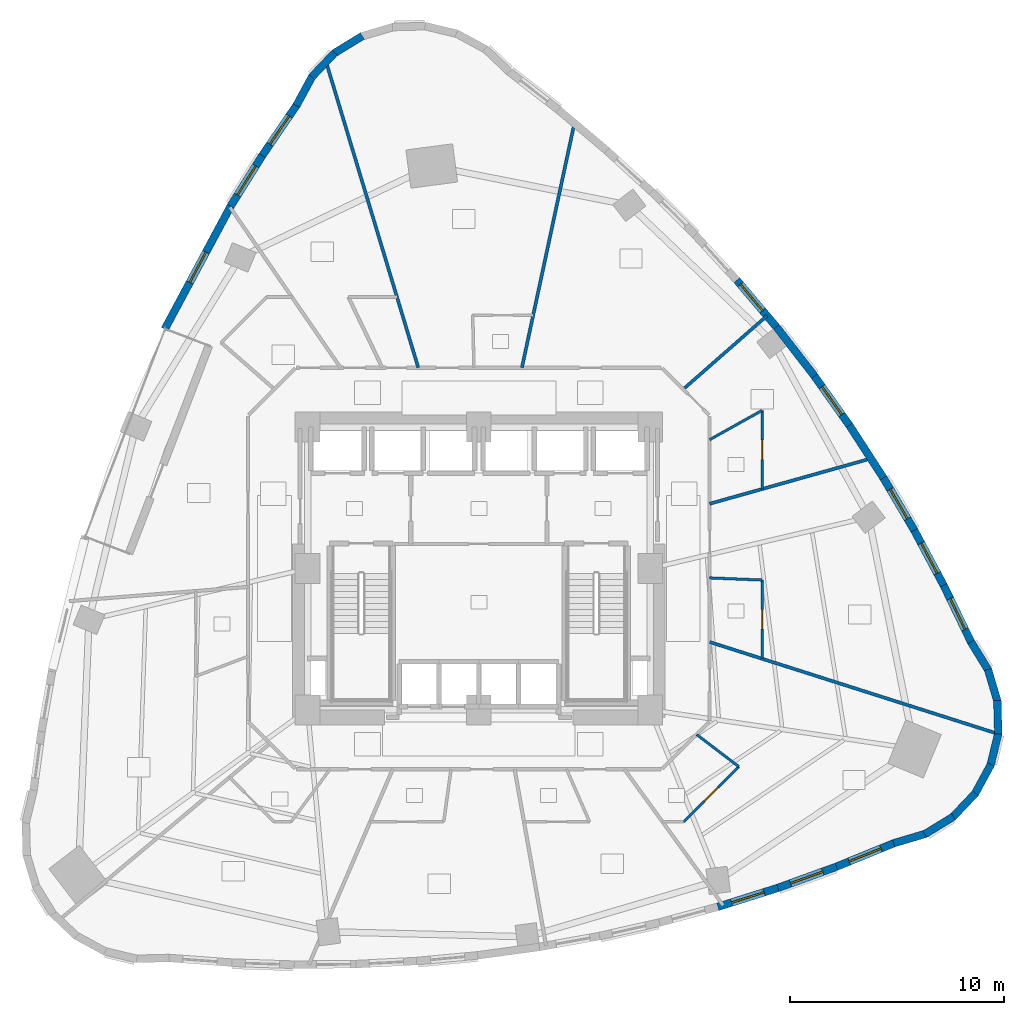
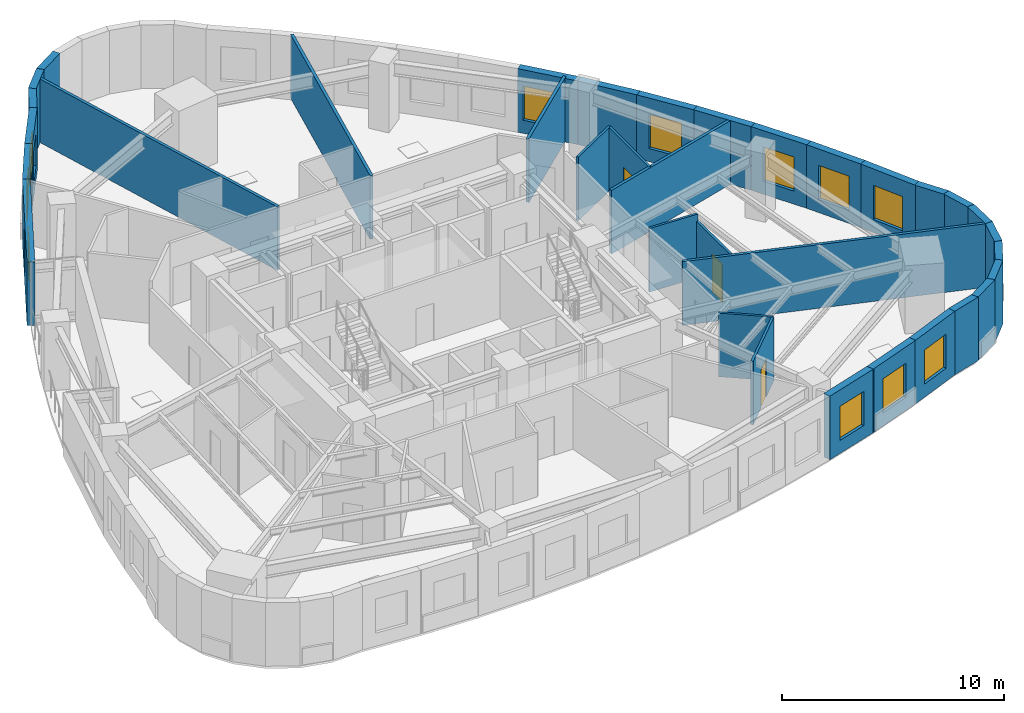
# One storey, part 8 of 12: 35 walls, 11 windows, 3 doors, 14 openings.
"""IFC4 building model written with IfcOpenShell, lengths in metres."""

from ifc_helpers import new_model, si_unit, direction, frame, frame_2d, origin, place, context, subcontext, project, spatial, rectangle, extrude, material, layer, layer_set, type_object, element, fill, save


model = new_model("IFC4")

# Units and contexts
model_context = context("Model", 3, precision=1e-05, world=origin(), true_north=direction((0.0, 1.0)))
body_context = subcontext(model_context, "Body", "Model", "MODEL_VIEW")
ifc_project = project(units=[si_unit("LENGTHUNIT", "METRE"), si_unit("AREAUNIT", "SQUARE_METRE"), si_unit("VOLUMEUNIT", "CUBIC_METRE"), si_unit("PLANEANGLEUNIT", "RADIAN"), si_unit("MASSUNIT", "GRAM", prefix="KILO")], contexts=[model_context])

# Site, building, storey
site_placement = place(None, origin())
site = spatial("IfcSite", under=ifc_project, at=site_placement, CompositionType="ELEMENT")
building_placement = place(site_placement, origin())
building = spatial("IfcBuilding", under=site, at=building_placement, Name="Ndelora Gate Hotel", CompositionType="ELEMENT")
storey_placement = place(building_placement, frame((0.0, 0.0, 64.25)))
storey = spatial("IfcBuildingStorey", under=building, at=storey_placement, Name="L15", CompositionType="ELEMENT", Elevation=64.25)

# Walls
ifc_material_1 = material(Name="Clay Brick Masonry", Category="masonry")
ifc_layer_1 = layer(ifc_material_1, 0.360107421875)
ifc_layer_set_1 = layer_set([ifc_layer_1], Name="Clay Brick Masonry")
wall_type_1 = type_object("IfcWallType", Name="WL-BRICK-360", PredefinedType="SOLIDWALL", material=ifc_layer_set_1)
wall_1_placement = place(storey_placement, frame((-6.77001953125, 24.058349609375, 0.0), z_axis=(0.0, 0.0, 1.0), x_axis=(0.852621439608, 0.522529119496, 0.0)))
element("IfcWall", 1, at=wall_1_placement, inside=storey, type_object=wall_type_1, Name="L15 Tower Brick Pier-and-Spandrel Wall TWR-6", PredefinedType="SOLIDWALL", context=body_context, shape_type="SweptSolid", body=[
    extrude(rectangle(XDim=1.564208984375, YDim=0.360107421875, at=frame_2d((0.7822265625, 0.0))), origin(), (0.0, 0.0, 1.0), 3.5),
])
for number, where, z_axis, x_axis, name in (
    (2, (-7.80810546875, 22.955078125, 0.0), (0.0, 0.0, 1.0), (0.688367852729, 0.725361771345, 0.0), "L15 Tower Brick Pier-and-Spandrel Wall TWR-7"),
    (3, (-8.525390625, 21.62060546875, 0.0), (0.0, 0.0, 1.0), (0.477177977799, 0.878806678118, 0.0), "L15 Tower Brick Pier-and-Spandrel Wall TWR-8"),
):
    element("IfcWall", number, at=place(storey_placement, frame(where, z_axis=z_axis, x_axis=x_axis)), inside=storey, type_object=wall_type_1, Name=name, PredefinedType="SOLIDWALL", context=body_context, shape_type="SweptSolid", body=[
        extrude(rectangle(XDim=1.56396484375, YDim=0.360107421875, at=frame_2d((0.781982421875, 0.0))), origin(), (0.0, 0.0, 1.0), 3.5),
    ])

# Wall, opening, window
wall_2_placement = place(storey_placement, frame((-10.11572265625, 19.29150390625, 0.0), z_axis=(0.0, 0.0, 1.0), x_axis=(0.563210121539, 0.826313717057, 0.0)))
wall_2 = element("IfcWall", 4, at=wall_2_placement, inside=storey, type_object=wall_type_1, Name="L15 Tower Brick Pier-and-Spandrel Wall TWR-9", PredefinedType="SOLIDWALL", context=body_context, shape_type="SweptSolid", body=[
    extrude(rectangle(XDim=2.8701171875, YDim=0.360107421875, at=frame_2d((1.43505859375, 0.0))), origin(), (0.0, 0.0, 1.0), 3.5),
])
opening_1_placement = place(wall_2_placement, frame((0.635009765625, 0.0, 0.719970703125)))
opening_1 = element("IfcOpeningElement", 5, at=opening_1_placement, cuts=wall_2, Name="Opening W03", PredefinedType="OPENING", context=body_context, shape_type="SweptSolid", body=[
    extrude(rectangle(XDim=1.60009765625, YDim=1.8798828125, at=frame_2d((0.800048828125, 0.93994140625))), frame((0.0, 0.18994140625, 0.0), z_axis=(0.0, -1.0, 0.0), x_axis=(1.0, 0.0, 0.0)), (0.0, 0.0, 1.0), 0.380126953125),
])
ifc_material_2 = material(Name="Insulated Low-E Double Glazing in Bronze Aluminium Frame", Category="aluminium")
window_type_1 = type_object("IfcWindowType", Name="WN-CORN-2100", PartitioningType="SINGLE_PANEL", PredefinedType="WINDOW", material=ifc_material_2)
window_1_placement = place(opening_1_placement, origin())
window_1 = element("IfcWindow", 6, at=window_1_placement, inside=storey, type_object=window_type_1, Name="L15 Deep-Set Brick-Pier Window W03", OverallHeight=1.8798828125, OverallWidth=1.60009765625, PartitioningType="SINGLE_PANEL", PredefinedType="WINDOW", context=body_context, shape_type="SweptSolid", body=[
    extrude(rectangle(XDim=1.60009765625, YDim=1.8798828125, at=frame_2d((0.800048828125, 0.93994140625))), frame((0.0, 0.030029296875, 0.0), z_axis=(0.0, -1.0, 0.0), x_axis=(1.0, 0.0, 0.0)), (0.0, 0.0, 1.0), 0.06005859375),
])
fill(opening_1, window_1)

wall_3_placement = place(storey_placement, frame((-11.59814453125, 16.92041015625, 0.0), z_axis=(0.0, 0.0, 1.0), x_axis=(0.530399781812, 0.847747646092, 0.0)))
wall_3 = element("IfcWall", 7, at=wall_3_placement, inside=storey, type_object=wall_type_1, Name="L15 Tower Brick Pier-and-Spandrel Wall TWR-10", PredefinedType="SOLIDWALL", context=body_context, shape_type="SweptSolid", body=[
    extrude(rectangle(XDim=2.846435546875, YDim=0.360107421875, at=frame_2d((1.42333984375, 0.0))), origin(), (0.0, 0.0, 1.0), 3.5),
])
opening_2_placement = place(wall_3_placement, frame((0.623291015625, 0.0, 0.719970703125)))
opening_2 = element("IfcOpeningElement", 8, at=opening_2_placement, cuts=wall_3, Name="Opening W01", PredefinedType="OPENING", context=body_context, shape_type="SweptSolid", body=[
    extrude(rectangle(XDim=1.60009765625, YDim=1.8798828125, at=frame_2d((0.800048828125, 0.93994140625))), frame((0.0, 0.18994140625, 0.0), z_axis=(0.0, -1.0, 0.0), x_axis=(1.0, 0.0, 0.0)), (0.0, 0.0, 1.0), 0.380126953125),
])
window_type_2 = type_object("IfcWindowType", Name="WN-DEEP-1600", PartitioningType="SINGLE_PANEL", PredefinedType="WINDOW", material=ifc_material_2)
window_2_placement = place(opening_2_placement, origin())
window_2 = element("IfcWindow", 9, at=window_2_placement, inside=storey, type_object=window_type_2, Name="L15 Deep-Set Brick-Pier Window W01", OverallHeight=1.8798828125, OverallWidth=1.60009765625, PartitioningType="SINGLE_PANEL", PredefinedType="WINDOW", context=body_context, shape_type="SweptSolid", body=[
    extrude(rectangle(XDim=1.60009765625, YDim=1.8798828125, at=frame_2d((0.800048828125, 0.93994140625))), frame((0.0, 0.030029296875, 0.0), z_axis=(0.0, -1.0, 0.0), x_axis=(1.0, 0.0, 0.0)), (0.0, 0.0, 1.0), 0.06005859375),
])
fill(opening_2, window_2)

wall_4_placement = place(storey_placement, frame((-14.67431640625, 11.176513671875, 0.0), z_axis=(0.0, 0.0, 1.0), x_axis=(0.4723493591, 0.881411415264, 0.0)))
wall_4 = element("IfcWall", 10, at=wall_4_placement, inside=storey, type_object=wall_type_1, Name="L15 Tower Brick Pier-and-Spandrel Wall TWR-11", PredefinedType="SOLIDWALL", context=body_context, shape_type="SweptSolid", body=[
    extrude(rectangle(XDim=6.565673828125, YDim=0.360107421875, at=frame_2d((3.28271484375, 0.0))), origin(), (0.0, 0.0, 1.0), 3.5),
])
opening_3_placement = place(wall_4_placement, frame((2.48291015625, 0.0, 0.719970703125)))
opening_3 = element("IfcOpeningElement", 11, at=opening_3_placement, cuts=wall_4, Name="Opening W01", PredefinedType="OPENING", context=body_context, shape_type="SweptSolid", body=[
    extrude(rectangle(XDim=1.60009765625, YDim=1.8798828125, at=frame_2d((0.800048828125, 0.93994140625))), frame((0.0, 0.18994140625, 0.0), z_axis=(0.0, -1.0, 0.0), x_axis=(1.0, 0.0, 0.0)), (0.0, 0.0, 1.0), 0.380126953125),
])
window_3_placement = place(opening_3_placement, origin())
window_3 = element("IfcWindow", 12, at=window_3_placement, inside=storey, type_object=window_type_2, Name="L15 Deep-Set Brick-Pier Window W01", OverallHeight=1.8798828125, OverallWidth=1.60009765625, PartitioningType="SINGLE_PANEL", PredefinedType="WINDOW", context=body_context, shape_type="SweptSolid", body=[
    extrude(rectangle(XDim=1.60009765625, YDim=1.8798828125, at=frame_2d((0.800048828125, 0.93994140625))), frame((0.0, 0.030029296875, 0.0), z_axis=(0.0, -1.0, 0.0), x_axis=(1.0, 0.0, 0.0)), (0.0, 0.0, 1.0), 0.06005859375),
])
fill(opening_3, window_3)

wall_5_placement = place(storey_placement, frame((13.966796875, -14.92138671875, 0.0), z_axis=(0.0, 0.0, 1.0), x_axis=(-0.953689260009, -0.300793609212, 0.0)))
wall_5 = element("IfcWall", 13, at=wall_5_placement, inside=storey, type_object=wall_type_1, Name="L15 Tower Brick Pier-and-Spandrel Wall TWR-36", PredefinedType="SOLIDWALL", context=body_context, shape_type="SweptSolid", body=[
    extrude(rectangle(XDim=2.940673828125, YDim=0.360107421875, at=frame_2d((1.47021484375, 0.0))), origin(), (0.0, 0.0, 1.0), 3.5),
])
opening_4_placement = place(wall_5_placement, frame((0.67041015625, 0.0, 0.719970703125)))
opening_4 = element("IfcOpeningElement", 14, at=opening_4_placement, cuts=wall_5, Name="Opening W01", PredefinedType="OPENING", context=body_context, shape_type="SweptSolid", body=[
    extrude(rectangle(XDim=1.60009765625, YDim=1.8798828125, at=frame_2d((0.800048828125, 0.93994140625))), frame((0.0, 0.18994140625, 0.0), z_axis=(0.0, -1.0, 0.0), x_axis=(1.0, 0.0, 0.0)), (0.0, 0.0, 1.0), 0.380126953125),
])
window_4_placement = place(opening_4_placement, origin())
window_4 = element("IfcWindow", 15, at=window_4_placement, inside=storey, type_object=window_type_2, Name="L15 Deep-Set Brick-Pier Window W01", OverallHeight=1.8798828125, OverallWidth=1.60009765625, PartitioningType="SINGLE_PANEL", PredefinedType="WINDOW", context=body_context, shape_type="SweptSolid", body=[
    extrude(rectangle(XDim=1.60009765625, YDim=1.8798828125, at=frame_2d((0.800048828125, 0.93994140625))), frame((0.0, 0.030029296875, 0.0), z_axis=(0.0, -1.0, 0.0), x_axis=(1.0, 0.0, 0.0)), (0.0, 0.0, 1.0), 0.06005859375),
])
fill(opening_4, window_4)

wall_6_placement = place(storey_placement, frame((16.704345703125, -13.9296875, 0.0), z_axis=(0.0, 0.0, 1.0), x_axis=(-0.940338629153, -0.340240007234, 0.0)))
wall_6 = element("IfcWall", 16, at=wall_6_placement, inside=storey, type_object=wall_type_1, Name="L15 Tower Brick Pier-and-Spandrel Wall TWR-37", PredefinedType="SOLIDWALL", context=body_context, shape_type="SweptSolid", body=[
    extrude(rectangle(XDim=2.96142578125, YDim=0.360107421875, at=frame_2d((1.480712890625, 0.0))), origin(), (0.0, 0.0, 1.0), 3.5),
])
opening_5_placement = place(wall_6_placement, frame((0.6806640625, 0.0, 0.719970703125)))
opening_5 = element("IfcOpeningElement", 17, at=opening_5_placement, cuts=wall_6, Name="Opening W03", PredefinedType="OPENING", context=body_context, shape_type="SweptSolid", body=[
    extrude(rectangle(XDim=1.60009765625, YDim=1.8798828125, at=frame_2d((0.800048828125, 0.93994140625))), frame((0.0, 0.18994140625, 0.0), z_axis=(0.0, -1.0, 0.0), x_axis=(1.0, 0.0, 0.0)), (0.0, 0.0, 1.0), 0.380126953125),
])
window_5_placement = place(opening_5_placement, origin())
window_5 = element("IfcWindow", 18, at=window_5_placement, inside=storey, type_object=window_type_1, Name="L15 Deep-Set Brick-Pier Window W03", OverallHeight=1.8798828125, OverallWidth=1.60009765625, PartitioningType="SINGLE_PANEL", PredefinedType="WINDOW", context=body_context, shape_type="SweptSolid", body=[
    extrude(rectangle(XDim=1.60009765625, YDim=1.8798828125, at=frame_2d((0.800048828125, 0.93994140625))), frame((0.0, 0.030029296875, 0.0), z_axis=(0.0, -1.0, 0.0), x_axis=(1.0, 0.0, 0.0)), (0.0, 0.0, 1.0), 0.06005859375),
])
fill(opening_5, window_5)

wall_7_placement = place(storey_placement, frame((19.422607421875, -12.817626953125, 0.0), z_axis=(0.0, 0.0, 1.0), x_axis=(-0.925660187863, -0.378355939039, 0.0)))
wall_7 = element("IfcWall", 19, at=wall_7_placement, inside=storey, type_object=wall_type_1, Name="L15 Tower Brick Pier-and-Spandrel Wall TWR-38", PredefinedType="SOLIDWALL", context=body_context, shape_type="SweptSolid", body=[
    extrude(rectangle(XDim=2.987060546875, YDim=0.360107421875, at=frame_2d((1.49365234375, 0.0))), origin(), (0.0, 0.0, 1.0), 3.5),
])
opening_6_placement = place(wall_7_placement, frame((0.693603515625, 0.0, 0.719970703125)))
opening_6 = element("IfcOpeningElement", 20, at=opening_6_placement, cuts=wall_7, Name="Opening W01", PredefinedType="OPENING", context=body_context, shape_type="SweptSolid", body=[
    extrude(rectangle(XDim=1.60009765625, YDim=1.8798828125, at=frame_2d((0.800048828125, 0.93994140625))), frame((0.0, 0.18994140625, 0.0), z_axis=(0.0, -1.0, 0.0), x_axis=(1.0, 0.0, 0.0)), (0.0, 0.0, 1.0), 0.380126953125),
])
window_6_placement = place(opening_6_placement, origin())
window_6 = element("IfcWindow", 21, at=window_6_placement, inside=storey, type_object=window_type_2, Name="L15 Deep-Set Brick-Pier Window W01", OverallHeight=1.8798828125, OverallWidth=1.60009765625, PartitioningType="SINGLE_PANEL", PredefinedType="WINDOW", context=body_context, shape_type="SweptSolid", body=[
    extrude(rectangle(XDim=1.60009765625, YDim=1.8798828125, at=frame_2d((0.800048828125, 0.93994140625))), frame((0.0, 0.030029296875, 0.0), z_axis=(0.0, -1.0, 0.0), x_axis=(1.0, 0.0, 0.0)), (0.0, 0.0, 1.0), 0.06005859375),
])
fill(opening_6, window_6)

# Walls
wall_8_placement = place(storey_placement, frame((20.875244140625, -12.389892578125, 0.0), z_axis=(0.0, 0.0, 1.0), x_axis=(-0.958804410816, -0.284067072714, 0.0)))
element("IfcWall", 22, at=wall_8_placement, inside=storey, type_object=wall_type_1, Name="L15 Tower Brick Pier-and-Spandrel Wall TWR-39", PredefinedType="SOLIDWALL", context=body_context, shape_type="SweptSolid", body=[
    extrude(rectangle(XDim=1.564208984375, YDim=0.360107421875, at=frame_2d((0.7822265625, 0.0))), origin(), (0.0, 0.0, 1.0), 3.5),
])
for number, where, z_axis, x_axis, name in (
    (23, (22.16357421875, -11.5927734375, 0.0), (0.0, 0.0, 1.0), (-0.852578817714, -0.522598660144, 0.0), "L15 Tower Brick Pier-and-Spandrel Wall TWR-40"),
    (24, (23.20166015625, -10.489501953125, 0.0), (0.0, 0.0, 1.0), (-0.688367852729, -0.725361771345, 0.0), "L15 Tower Brick Pier-and-Spandrel Wall TWR-41"),
):
    element("IfcWall", number, at=place(storey_placement, frame(where, z_axis=z_axis, x_axis=x_axis)), inside=storey, type_object=wall_type_1, Name=name, PredefinedType="SOLIDWALL", context=body_context, shape_type="SweptSolid", body=[
        extrude(rectangle(XDim=1.56396484375, YDim=0.360107421875, at=frame_2d((0.781982421875, 0.0))), origin(), (0.0, 0.0, 1.0), 3.5),
    ])
for number, where, z_axis, x_axis, name in (
    (25, (23.9189453125, -9.155029296875, 0.0), (0.0, 0.0, 1.0), (-0.477112528062, -0.878842213123, 0.0), "L15 Tower Brick Pier-and-Spandrel Wall TWR-42"),
    (26, (24.266357421875, -7.680419921875, 0.0), (0.0, 0.0, 1.0), (-0.233491011935, -0.97235896013, 0.0), "L15 Tower Brick Pier-and-Spandrel Wall TWR-43"),
):
    element("IfcWall", number, at=place(storey_placement, frame(where, z_axis=z_axis, x_axis=x_axis)), inside=storey, type_object=wall_type_1, Name=name, PredefinedType="SOLIDWALL", context=body_context, shape_type="SweptSolid", body=[
        extrude(rectangle(XDim=1.564208984375, YDim=0.360107421875, at=frame_2d((0.7822265625, 0.0))), origin(), (0.0, 0.0, 1.0), 3.5),
    ])
wall_9_placement = place(storey_placement, frame((24.22021484375, -6.166259765625, 0.0), z_axis=(0.0, 0.0, 1.0), x_axis=(0.026224581645, -0.999656076517, 0.0)))
element("IfcWall", 27, at=wall_9_placement, inside=storey, type_object=wall_type_1, Name="L15 Tower Brick Pier-and-Spandrel Wall TWR-44", PredefinedType="SOLIDWALL", context=body_context, shape_type="SweptSolid", body=[
    extrude(rectangle(XDim=1.56396484375, YDim=0.360107421875, at=frame_2d((0.781982421875, 0.0))), origin(), (0.0, 0.0, 1.0), 3.5),
])
for number, where, z_axis, x_axis, name in (
    (28, (23.78369140625, -4.71533203125, 0.0), (0.0, 0.0, 1.0), (0.283923577164, -0.958846912875, 0.0), "L15 Tower Brick Pier-and-Spandrel Wall TWR-45"),
    (29, (22.986572265625, -3.427001953125, 0.0), (0.0, 0.0, 1.0), (0.522529119496, -0.852621439608, 0.0), "L15 Tower Brick Pier-and-Spandrel Wall TWR-46"),
):
    element("IfcWall", number, at=place(storey_placement, frame(where, z_axis=z_axis, x_axis=x_axis)), inside=storey, type_object=wall_type_1, Name=name, PredefinedType="SOLIDWALL", context=body_context, shape_type="SweptSolid", body=[
        extrude(rectangle(XDim=1.564208984375, YDim=0.360107421875, at=frame_2d((0.7822265625, 0.0))), origin(), (0.0, 0.0, 1.0), 3.5),
    ])

# Wall, opening, window
wall_10_placement = place(storey_placement, frame((21.7119140625, -0.781005859375, 0.0), z_axis=(0.0, 0.0, 1.0), x_axis=(0.434746780096, -0.900552739819, 0.0)))
wall_10 = element("IfcWall", 30, at=wall_10_placement, inside=storey, type_object=wall_type_1, Name="L15 Tower Brick Pier-and-Spandrel Wall TWR-47", PredefinedType="SOLIDWALL", context=body_context, shape_type="SweptSolid", body=[
    extrude(rectangle(XDim=2.987060546875, YDim=0.360107421875, at=frame_2d((1.49365234375, 0.0))), origin(), (0.0, 0.0, 1.0), 3.5),
])
opening_7_placement = place(wall_10_placement, frame((0.693603515625, 0.0, 0.719970703125)))
opening_7 = element("IfcOpeningElement", 31, at=opening_7_placement, cuts=wall_10, Name="Opening W01", PredefinedType="OPENING", context=body_context, shape_type="SweptSolid", body=[
    extrude(rectangle(XDim=1.60009765625, YDim=1.8798828125, at=frame_2d((0.800048828125, 0.93994140625))), frame((0.0, 0.18994140625, 0.0), z_axis=(0.0, -1.0, 0.0), x_axis=(1.0, 0.0, 0.0)), (0.0, 0.0, 1.0), 0.380126953125),
])
window_7_placement = place(opening_7_placement, origin())
window_7 = element("IfcWindow", 32, at=window_7_placement, inside=storey, type_object=window_type_2, Name="L15 Deep-Set Brick-Pier Window W01", OverallHeight=1.8798828125, OverallWidth=1.60009765625, PartitioningType="SINGLE_PANEL", PredefinedType="WINDOW", context=body_context, shape_type="SweptSolid", body=[
    extrude(rectangle(XDim=1.60009765625, YDim=1.8798828125, at=frame_2d((0.800048828125, 0.93994140625))), frame((0.0, 0.030029296875, 0.0), z_axis=(0.0, -1.0, 0.0), x_axis=(1.0, 0.0, 0.0)), (0.0, 0.0, 1.0), 0.06005859375),
])
fill(opening_7, window_7)

wall_11_placement = place(storey_placement, frame((20.339111328125, 1.78662109375, 0.0), z_axis=(0.0, 0.0, 1.0), x_axis=(0.471187121095, -0.882033274267, 0.0)))
wall_11 = element("IfcWall", 33, at=wall_11_placement, inside=storey, type_object=wall_type_1, Name="L15 Tower Brick Pier-and-Spandrel Wall TWR-48", PredefinedType="SOLIDWALL", context=body_context, shape_type="SweptSolid", body=[
    extrude(rectangle(XDim=2.961669921875, YDim=0.360107421875, at=frame_2d((1.48095703125, 0.0))), origin(), (0.0, 0.0, 1.0), 3.5),
])
opening_8_placement = place(wall_11_placement, frame((0.6806640625, 0.0, 0.719970703125)))
opening_8 = element("IfcOpeningElement", 34, at=opening_8_placement, cuts=wall_11, Name="Opening W01", PredefinedType="OPENING", context=body_context, shape_type="SweptSolid", body=[
    extrude(rectangle(XDim=1.60009765625, YDim=1.8798828125, at=frame_2d((0.800048828125, 0.93994140625))), frame((0.0, 0.18994140625, 0.0), z_axis=(0.0, -1.0, 0.0), x_axis=(1.0, 0.0, 0.0)), (0.0, 0.0, 1.0), 0.380126953125),
])
window_8_placement = place(opening_8_placement, origin())
window_8 = element("IfcWindow", 35, at=window_8_placement, inside=storey, type_object=window_type_2, Name="L15 Deep-Set Brick-Pier Window W01", OverallHeight=1.8798828125, OverallWidth=1.60009765625, PartitioningType="SINGLE_PANEL", PredefinedType="WINDOW", context=body_context, shape_type="SweptSolid", body=[
    extrude(rectangle(XDim=1.60009765625, YDim=1.8798828125, at=frame_2d((0.800048828125, 0.93994140625))), frame((0.0, 0.030029296875, 0.0), z_axis=(0.0, -1.0, 0.0), x_axis=(1.0, 0.0, 0.0)), (0.0, 0.0, 1.0), 0.06005859375),
])
fill(opening_8, window_8)

wall_12_placement = place(storey_placement, frame((18.87158203125, 4.277099609375, 0.0), z_axis=(0.0, 0.0, 1.0), x_axis=(0.507397387312, -0.861712185912, 0.0)))
wall_12 = element("IfcWall", 36, at=wall_12_placement, inside=storey, type_object=wall_type_1, Name="L15 Tower Brick Pier-and-Spandrel Wall TWR-49", PredefinedType="SOLIDWALL", context=body_context, shape_type="SweptSolid", body=[
    extrude(rectangle(XDim=2.94091796875, YDim=0.360107421875, at=frame_2d((1.470458984375, 0.0))), origin(), (0.0, 0.0, 1.0), 3.5),
])
opening_9_placement = place(wall_12_placement, frame((0.67041015625, 0.0, 0.719970703125)))
opening_9 = element("IfcOpeningElement", 37, at=opening_9_placement, cuts=wall_12, Name="Opening W03", PredefinedType="OPENING", context=body_context, shape_type="SweptSolid", body=[
    extrude(rectangle(XDim=1.60009765625, YDim=1.8798828125, at=frame_2d((0.800048828125, 0.93994140625))), frame((0.0, 0.18994140625, 0.0), z_axis=(0.0, -1.0, 0.0), x_axis=(1.0, 0.0, 0.0)), (0.0, 0.0, 1.0), 0.380126953125),
])
window_9_placement = place(opening_9_placement, origin())
window_9 = element("IfcWindow", 38, at=window_9_placement, inside=storey, type_object=window_type_1, Name="L15 Deep-Set Brick-Pier Window W03", OverallHeight=1.8798828125, OverallWidth=1.60009765625, PartitioningType="SINGLE_PANEL", PredefinedType="WINDOW", context=body_context, shape_type="SweptSolid", body=[
    extrude(rectangle(XDim=1.60009765625, YDim=1.8798828125, at=frame_2d((0.800048828125, 0.93994140625))), frame((0.0, 0.030029296875, 0.0), z_axis=(0.0, -1.0, 0.0), x_axis=(1.0, 0.0, 0.0)), (0.0, 0.0, 1.0), 0.06005859375),
])
fill(opening_9, window_9)

# Wall
wall_13_placement = place(storey_placement, frame((17.308837890625, 6.690673828125, 0.0), z_axis=(0.0, 0.0, 1.0), x_axis=(0.543168221009, -0.839623894185, 0.0)))
element("IfcWall", 39, at=wall_13_placement, inside=storey, type_object=wall_type_1, Name="L15 Tower Brick Pier-and-Spandrel Wall TWR-50", PredefinedType="SOLIDWALL", context=body_context, shape_type="SweptSolid", body=[
    extrude(rectangle(XDim=2.92529296875, YDim=0.360107421875, at=frame_2d((1.462646484375, 0.0))), origin(), (0.0, 0.0, 1.0), 3.5),
])

# Wall, opening, window
wall_14_placement = place(storey_placement, frame((15.651123046875, 9.02734375, 0.0), z_axis=(0.0, 0.0, 1.0), x_axis=(0.578342640262, -0.815793963237, 0.0)))
wall_14 = element("IfcWall", 40, at=wall_14_placement, inside=storey, type_object=wall_type_1, Name="L15 Tower Brick Pier-and-Spandrel Wall TWR-51", PredefinedType="SOLIDWALL", context=body_context, shape_type="SweptSolid", body=[
    extrude(rectangle(XDim=2.914794921875, YDim=0.360107421875, at=frame_2d((1.45751953125, 0.0))), origin(), (0.0, 0.0, 1.0), 3.5),
])
opening_10_placement = place(wall_14_placement, frame((0.657470703125, 0.0, 0.719970703125)))
opening_10 = element("IfcOpeningElement", 41, at=opening_10_placement, cuts=wall_14, Name="Opening W01", PredefinedType="OPENING", context=body_context, shape_type="SweptSolid", body=[
    extrude(rectangle(XDim=1.60009765625, YDim=1.8798828125, at=frame_2d((0.800048828125, 0.93994140625))), frame((0.0, 0.18994140625, 0.0), z_axis=(0.0, -1.0, 0.0), x_axis=(1.0, 0.0, 0.0)), (0.0, 0.0, 1.0), 0.380126953125),
])
window_10_placement = place(opening_10_placement, origin())
window_10 = element("IfcWindow", 42, at=window_10_placement, inside=storey, type_object=window_type_2, Name="L15 Deep-Set Brick-Pier Window W01", OverallHeight=1.8798828125, OverallWidth=1.60009765625, PartitioningType="SINGLE_PANEL", PredefinedType="WINDOW", context=body_context, shape_type="SweptSolid", body=[
    extrude(rectangle(XDim=1.60009765625, YDim=1.8798828125, at=frame_2d((0.800048828125, 0.93994140625))), frame((0.0, 0.030029296875, 0.0), z_axis=(0.0, -1.0, 0.0), x_axis=(1.0, 0.0, 0.0)), (0.0, 0.0, 1.0), 0.06005859375),
])
fill(opening_10, window_10)

# Wall
wall_15_placement = place(storey_placement, frame((13.898681640625, 11.287109375, 0.0), z_axis=(0.0, 0.0, 1.0), x_axis=(0.612545453358, -0.79043536584, 0.0)))
element("IfcWall", 43, at=wall_15_placement, inside=storey, type_object=wall_type_1, Name="L15 Tower Brick Pier-and-Spandrel Wall TWR-52", PredefinedType="SOLIDWALL", context=body_context, shape_type="SweptSolid", body=[
    extrude(rectangle(XDim=2.909423828125, YDim=0.360107421875, at=frame_2d((1.45458984375, 0.0))), origin(), (0.0, 0.0, 1.0), 3.5),
])

# Wall, opening, window
wall_16_placement = place(storey_placement, frame((12.051025390625, 13.4697265625, 0.0), z_axis=(0.0, 0.0, 1.0), x_axis=(0.645836916795, -0.763475393779, 0.0)))
wall_16 = element("IfcWall", 44, at=wall_16_placement, inside=storey, type_object=wall_type_1, Name="L15 Tower Brick Pier-and-Spandrel Wall TWR-53", PredefinedType="SOLIDWALL", context=body_context, shape_type="SweptSolid", body=[
    extrude(rectangle(XDim=2.90966796875, YDim=0.360107421875, at=frame_2d((1.454833984375, 0.0))), origin(), (0.0, 0.0, 1.0), 3.5),
])
opening_11_placement = place(wall_16_placement, frame((0.260009765625, 0.0, 0.719970703125)))
opening_11 = element("IfcOpeningElement", 45, at=opening_11_placement, cuts=wall_16, Name="Opening W03", PredefinedType="OPENING", context=body_context, shape_type="SweptSolid", body=[
    extrude(rectangle(XDim=1.60009765625, YDim=1.8798828125, at=frame_2d((0.800048828125, 0.93994140625))), frame((0.0, 0.18994140625, 0.0), z_axis=(0.0, -1.0, 0.0), x_axis=(1.0, 0.0, 0.0)), (0.0, 0.0, 1.0), 0.380126953125),
])
window_11_placement = place(opening_11_placement, origin())
window_11 = element("IfcWindow", 46, at=window_11_placement, inside=storey, type_object=window_type_1, Name="L15 Deep-Set Brick-Pier Window W03", OverallHeight=1.8798828125, OverallWidth=1.60009765625, PartitioningType="SINGLE_PANEL", PredefinedType="WINDOW", context=body_context, shape_type="SweptSolid", body=[
    extrude(rectangle(XDim=1.60009765625, YDim=1.8798828125, at=frame_2d((0.800048828125, 0.93994140625))), frame((0.0, 0.030029296875, 0.0), z_axis=(0.0, -1.0, 0.0), x_axis=(1.0, 0.0, 0.0)), (0.0, 0.0, 1.0), 0.06005859375),
])
fill(opening_11, window_11)

# Walls
ifc_material_3 = material(Name="Fire-Rated Gypsum Stud Partition", Category="gypsum")
ifc_layer_2 = layer(ifc_material_3, 0.14990234375)
ifc_layer_set_2 = layer_set([ifc_layer_2], Name="Fire-Rated Gypsum Stud Partition")
wall_type_2 = type_object("IfcWallType", Name="WL-PART-150", PredefinedType="PARTITIONING", material=ifc_layer_set_2)
wall_17_placement = place(storey_placement, frame((10.780029296875, -3.433349609375, 0.0), z_axis=(0.0, 0.0, 1.0), x_axis=(0.952837774097, -0.303480108497, 0.0)))
element("IfcWall", 47, at=wall_17_placement, inside=storey, type_object=wall_type_2, Name="L15 Interior Wall IW-5", PredefinedType="PARTITIONING", context=body_context, shape_type="SweptSolid", body=[
    extrude(rectangle(XDim=14.142578125, YDim=0.14990234375, at=frame_2d((7.0712890625, 0.0))), origin(), (0.0, 0.0, 1.0), 3.5),
])
wall_18_placement = place(storey_placement, frame((10.780029296875, 3.0234375, 0.0), z_axis=(0.0, 0.0, 1.0), x_axis=(0.962851172518, 0.27003262688, 0.0)))
element("IfcWall", 48, at=wall_18_placement, inside=storey, type_object=wall_type_2, Name="L15 Interior Wall IW-5", PredefinedType="PARTITIONING", context=body_context, shape_type="SweptSolid", body=[
    extrude(rectangle(XDim=7.8251953125, YDim=0.14990234375, at=frame_2d((3.91259765625, 0.0))), origin(), (0.0, 0.0, 1.0), 3.5),
])
wall_19_placement = place(storey_placement, frame((9.552490234375, 8.37744140625, 0.0), z_axis=(0.0, 0.0, 1.0), x_axis=(0.75184000053, 0.659345594967, 0.0)))
element("IfcWall", 49, at=wall_19_placement, inside=storey, type_object=wall_type_2, Name="L15 Interior Wall IW-5", PredefinedType="PARTITIONING", context=body_context, shape_type="SweptSolid", body=[
    extrude(rectangle(XDim=5.197265625, YDim=0.14990234375, at=frame_2d((2.5986328125, 0.0))), origin(), (0.0, 0.0, 1.0), 3.5),
])
wall_20_placement = place(storey_placement, frame((2.0126953125, 9.3798828125, 0.0), z_axis=(0.0, 0.0, 1.0), x_axis=(0.209810339196, 0.977742103812, 0.0)))
element("IfcWall", 50, at=wall_20_placement, inside=storey, type_object=wall_type_2, Name="L15 Interior Wall IW-5", PredefinedType="PARTITIONING", context=body_context, shape_type="SweptSolid", body=[
    extrude(rectangle(XDim=11.67822265625, YDim=0.14990234375, at=frame_2d((5.839111328125, 0.0))), origin(), (0.0, 0.0, 1.0), 3.5),
])
wall_21_placement = place(storey_placement, frame((-2.827880859375, 9.3798828125, 0.0), z_axis=(0.0, 0.0, 1.0), x_axis=(-0.288668703069, 0.957429046911, 0.0)))
element("IfcWall", 51, at=wall_21_placement, inside=storey, type_object=wall_type_2, Name="L15 Interior Wall IW-5", PredefinedType="PARTITIONING", context=body_context, shape_type="SweptSolid", body=[
    extrude(rectangle(XDim=14.919921875, YDim=0.14990234375, at=frame_2d((7.4599609375, 0.0))), origin(), (0.0, 0.0, 1.0), 3.5),
])
ifc_material_4 = material(Name="Moisture-Resistant Bathroom Tile Partition", Category="gypsum")
ifc_layer_3 = layer(ifc_material_4, 0.1201171875)
ifc_layer_set_3 = layer_set([ifc_layer_3], Name="Moisture-Resistant Bathroom Tile Partition")
wall_type_3 = type_object("IfcWallType", Name="WL-WET-120", PredefinedType="PARTITIONING", material=ifc_layer_set_3)
wall_22_placement = place(storey_placement, frame((10.1748046875, -7.755126953125, 0.0), z_axis=(0.0, 0.0, 1.0), x_axis=(0.795354638284, -0.606144371714, 0.0)))
element("IfcWall", 52, at=wall_22_placement, inside=storey, type_object=wall_type_3, Name="L15 Interior Wall IW-7", PredefinedType="PARTITIONING", context=body_context, shape_type="SweptSolid", body=[
    extrude(rectangle(XDim=2.47216796875, YDim=0.1201171875, at=frame_2d((1.236083984375, 0.0))), origin(), (0.0, 0.0, 1.0), 3.5),
])

# Wall, opening, door
wall_23_placement = place(storey_placement, frame((12.14111328125, -9.253662109375, 0.0), z_axis=(0.0, 0.0, 1.0), x_axis=(-0.707106781187, -0.707106781187, 0.0)))
wall_23 = element("IfcWall", 53, at=wall_23_placement, inside=storey, type_object=wall_type_3, Name="L15 Interior Wall IW-7", PredefinedType="PARTITIONING", context=body_context, shape_type="SweptSolid", body=[
    extrude(rectangle(XDim=3.6435546875, YDim=0.1201171875, at=frame_2d((1.82177734375, 0.0))), origin(), (0.0, 0.0, 1.0), 3.5),
])
opening_12_placement = place(wall_23_placement, frame((1.36181640625, 0.0, 0.0)))
opening_12 = element("IfcOpeningElement", 54, at=opening_12_placement, cuts=wall_23, Name="Opening D03", PredefinedType="OPENING", context=body_context, shape_type="SweptSolid", body=[
    extrude(rectangle(XDim=0.919921875, YDim=2.10009765625, at=frame_2d((0.4599609375, 1.050048828125))), frame((0.0, 0.070068359375, 0.0), z_axis=(0.0, -1.0, 0.0), x_axis=(1.0, 0.0, 0.0)), (0.0, 0.0, 1.0), 0.14013671875),
])
ifc_material_5 = material(Name="Moisture-Resistant Hardwood En-Suite Door", Category="wood")
door_type = type_object("IfcDoorType", Name="DR-BATH-920", OperationType="SINGLE_SWING_LEFT", PredefinedType="DOOR", material=ifc_material_5)
door_1_placement = place(opening_12_placement, origin())
door_1 = element("IfcDoor", 55, at=door_1_placement, inside=storey, type_object=door_type, Name="L15 En-suite Bathroom 1805 Door", OperationType="SINGLE_SWING_RIGHT", OverallHeight=2.10009765625, OverallWidth=0.919921875, PredefinedType="DOOR", context=body_context, shape_type="SweptSolid", body=[
    extrude(rectangle(XDim=0.919921875, YDim=2.10009765625, at=frame_2d((0.4599609375, 1.050048828125))), frame((0.0, 0.02490234375, 0.0), z_axis=(0.0, -1.0, 0.0), x_axis=(1.0, 0.0, 0.0)), (0.0, 0.0, 1.0), 0.050048828125),
])
fill(opening_12, door_1)

# Wall
wall_24_placement = place(storey_placement, frame((13.22998046875, -0.5390625, 0.0), z_axis=(0.0, 0.0, 1.0), x_axis=(-0.999170452606, 0.040723539125, 0.0)))
element("IfcWall", 56, at=wall_24_placement, inside=storey, type_object=wall_type_3, Name="L15 Interior Wall IW-7", PredefinedType="PARTITIONING", context=body_context, shape_type="SweptSolid", body=[
    extrude(rectangle(XDim=2.451904296875, YDim=0.1201171875, at=frame_2d((1.22607421875, 0.0))), origin(), (0.0, 0.0, 1.0), 3.5),
])

# Wall, opening, door
wall_25_placement = place(storey_placement, frame((13.22998046875, -0.5390625, 0.0), z_axis=(0.0, 0.0, 1.0), x_axis=(0.0, -1.0, 0.0)))
wall_25 = element("IfcWall", 57, at=wall_25_placement, inside=storey, type_object=wall_type_3, Name="L15 Interior Wall IW-7", PredefinedType="PARTITIONING", context=body_context, shape_type="SweptSolid", body=[
    extrude(rectangle(XDim=3.6748046875, YDim=0.1201171875, at=frame_2d((1.83740234375, 0.0))), origin(), (0.0, 0.0, 1.0), 3.1201171875),
])
opening_13_placement = place(wall_25_placement, frame((1.37744140625, 0.0, 0.0)))
opening_13 = element("IfcOpeningElement", 58, at=opening_13_placement, cuts=wall_25, Name="Opening D03", PredefinedType="OPENING", context=body_context, shape_type="SweptSolid", body=[
    extrude(rectangle(XDim=0.919921875, YDim=2.10009765625, at=frame_2d((0.4599609375, 1.050048828125))), frame((0.0, 0.070068359375, 0.0), z_axis=(0.0, -1.0, 0.0), x_axis=(1.0, 0.0, 0.0)), (0.0, 0.0, 1.0), 0.14013671875),
])
door_2_placement = place(opening_13_placement, origin())
door_2 = element("IfcDoor", 59, at=door_2_placement, inside=storey, type_object=door_type, Name="L15 En-suite Bathroom 1806 Door", OperationType="SINGLE_SWING_LEFT", OverallHeight=2.10009765625, OverallWidth=0.919921875, PredefinedType="DOOR", context=body_context, shape_type="SweptSolid", body=[
    extrude(rectangle(XDim=0.919921875, YDim=2.10009765625, at=frame_2d((0.4599609375, 1.050048828125))), frame((0.0, 0.02490234375, 0.0), z_axis=(0.0, -1.0, 0.0), x_axis=(1.0, 0.0, 0.0)), (0.0, 0.0, 1.0), 0.050048828125),
])
fill(opening_13, door_2)

# Wall
wall_26_placement = place(storey_placement, frame((13.22998046875, 7.3837890625, 0.0), z_axis=(0.0, 0.0, 1.0), x_axis=(-0.873232148454, -0.487304437602, 0.0)))
element("IfcWall", 60, at=wall_26_placement, inside=storey, type_object=wall_type_3, Name="L15 Interior Wall IW-7", PredefinedType="PARTITIONING", context=body_context, shape_type="SweptSolid", body=[
    extrude(rectangle(XDim=2.8056640625, YDim=0.1201171875, at=frame_2d((1.40283203125, 0.0))), origin(), (0.0, 0.0, 1.0), 3.5),
])

# Wall, opening, door
wall_27_placement = place(storey_placement, frame((13.22998046875, 7.3837890625, 0.0), z_axis=(0.0, 0.0, 1.0), x_axis=(0.0, -1.0, 0.0)))
wall_27 = element("IfcWall", 61, at=wall_27_placement, inside=storey, type_object=wall_type_3, Name="L15 Interior Wall IW-7", PredefinedType="PARTITIONING", context=body_context, shape_type="SweptSolid", body=[
    extrude(rectangle(XDim=3.67333984375, YDim=0.1201171875, at=frame_2d((1.836669921875, 0.0))), origin(), (0.0, 0.0, 1.0), 3.5),
])
opening_14_placement = place(wall_27_placement, frame((1.376708984375, 0.0, 0.0)))
opening_14 = element("IfcOpeningElement", 62, at=opening_14_placement, cuts=wall_27, Name="Opening D03", PredefinedType="OPENING", context=body_context, shape_type="SweptSolid", body=[
    extrude(rectangle(XDim=0.919921875, YDim=2.10009765625, at=frame_2d((0.4599609375, 1.050048828125))), frame((0.0, 0.070068359375, 0.0), z_axis=(0.0, -1.0, 0.0), x_axis=(1.0, 0.0, 0.0)), (0.0, 0.0, 1.0), 0.14013671875),
])
door_3_placement = place(opening_14_placement, origin())
door_3 = element("IfcDoor", 63, at=door_3_placement, inside=storey, type_object=door_type, Name="L15 En-suite Bathroom 1807 Door", OperationType="SINGLE_SWING_RIGHT", OverallHeight=2.10009765625, OverallWidth=0.919921875, PredefinedType="DOOR", context=body_context, shape_type="SweptSolid", body=[
    extrude(rectangle(XDim=0.919921875, YDim=2.10009765625, at=frame_2d((0.4599609375, 1.050048828125))), frame((0.0, 0.02490234375, 0.0), z_axis=(0.0, -1.0, 0.0), x_axis=(1.0, 0.0, 0.0)), (0.0, 0.0, 1.0), 0.050048828125),
])
fill(opening_14, door_3)

save(model, "model.ifc")
